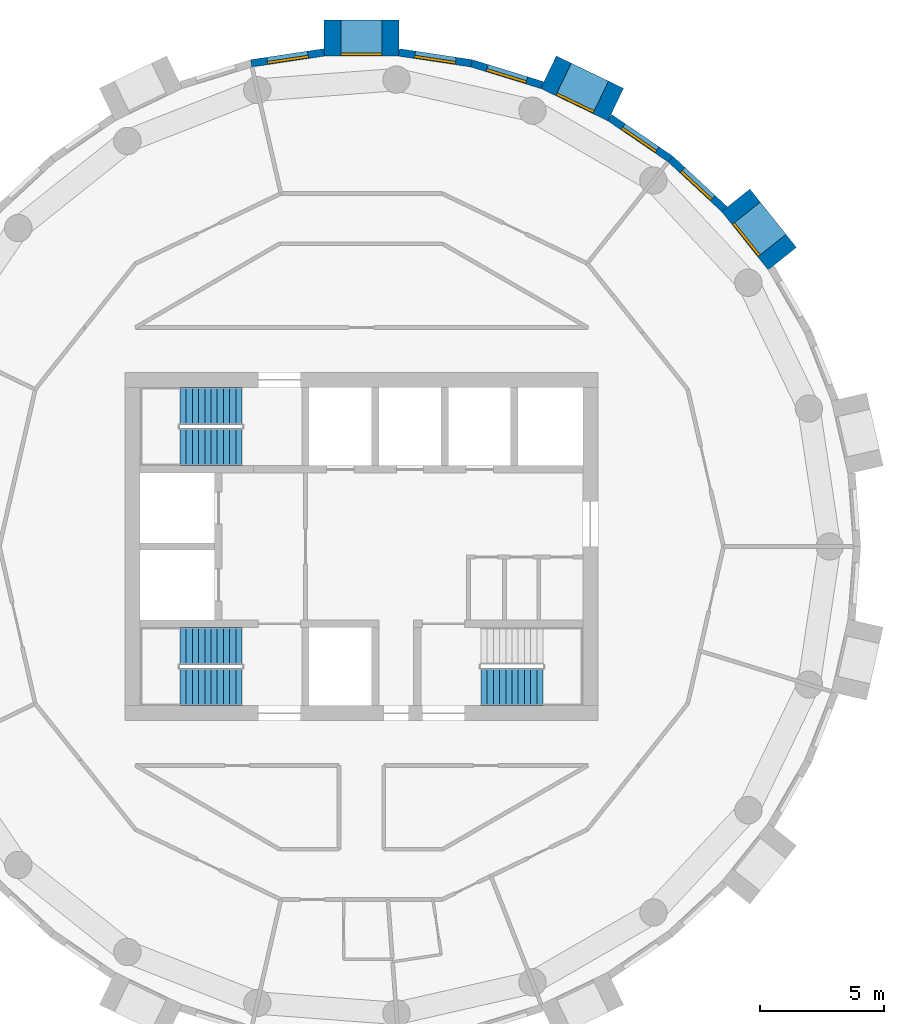
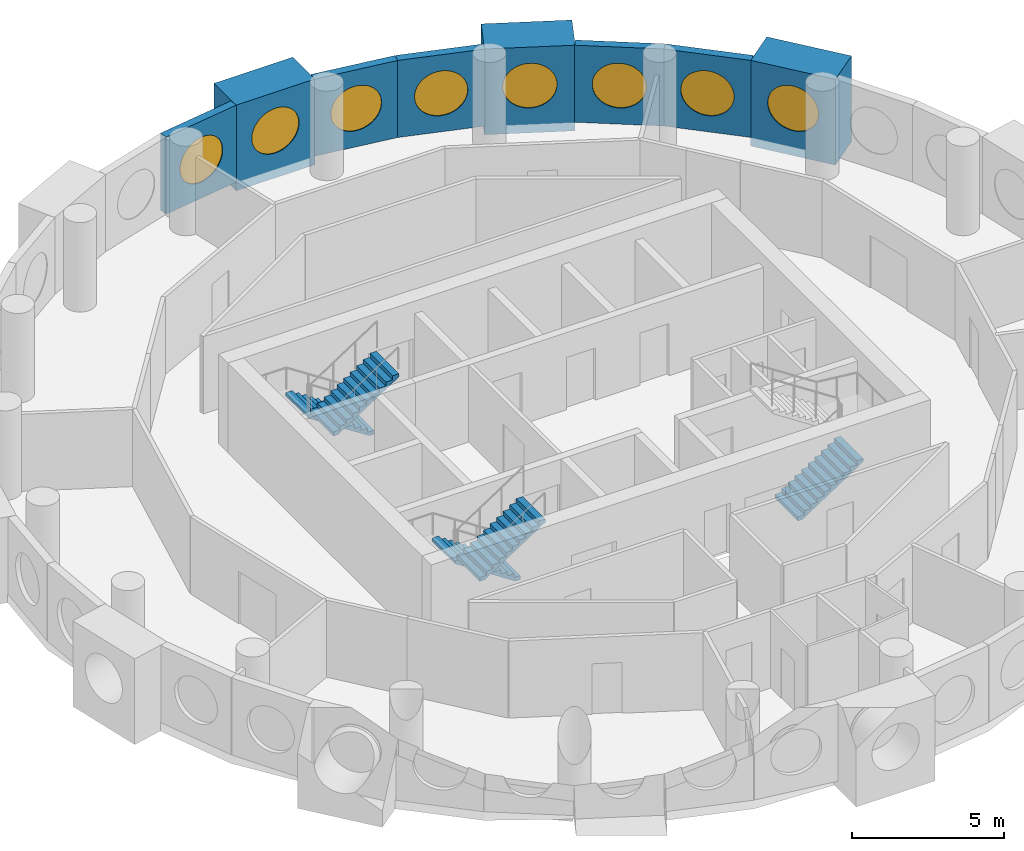
# One storey, part 11 of 13: 8 walls, 8 windows, 5 stair flights, 8 openings, 3 elements without a shape of their own.
"""IFC4 building model written with IfcOpenShell, lengths in metres."""

from ifc_helpers import new_model, si_unit, direction, frame, frame_2d, origin, origin_2d, place, context, subcontext, project, spatial, polyline, rectangle, circle, outline, extrude, material, layer, layer_set, type_object, element, fill, aggregate, save


model = new_model("IFC4")

# Units and contexts
model_context = context("Model", 3, precision=1e-05, world=origin(), true_north=direction((0.0, 1.0)))
body_context = subcontext(model_context, "Body", "Model", "MODEL_VIEW")
ifc_project = project(units=[si_unit("LENGTHUNIT", "METRE"), si_unit("AREAUNIT", "SQUARE_METRE"), si_unit("VOLUMEUNIT", "CUBIC_METRE"), si_unit("PLANEANGLEUNIT", "RADIAN"), si_unit("MASSUNIT", "GRAM", prefix="KILO")], contexts=[model_context])

# Site, building, storey
site_placement = place(None, origin())
site = spatial("IfcSite", under=ifc_project, at=site_placement, CompositionType="ELEMENT")
building_placement = place(site_placement, origin())
building = spatial("IfcBuilding", under=site, at=building_placement, Name="Tracery Tower", CompositionType="ELEMENT")
storey_placement = place(building_placement, frame((0.0, 0.0, 274.199951171875)))
storey = spatial("IfcBuildingStorey", under=building, at=storey_placement, Name="L71", CompositionType="ELEMENT", Elevation=274.199951171875)

# Wall, opening, window
ifc_material_1 = material(Name="Precast concrete C50/60", Category="concrete")
ifc_layer_1 = layer(ifc_material_1, 1.449951171875)
ifc_layer_set_1 = layer_set([ifc_layer_1], Name="Deep-set bay unit 3000 x 3450, slab edge 350")
wall_type_1 = type_object("IfcWallType", Name="Deep-set bay unit 3000 x 3450, slab edge 350", PredefinedType="ELEMENTEDWALL", material=ifc_layer_set_1)
wall_1_placement = place(storey_placement, frame((16.916748046875, 11.572021484375, -0.349853515625), z_axis=(0.0, 0.0, 1.0), x_axis=(-0.623523286312, 0.781804778335, 0.0)))
wall_1 = element("IfcWall", 1, at=wall_1_placement, inside=storey, type_object=wall_type_1, Name="Deep-set bay unit 5 at L71", PredefinedType="ELEMENTEDWALL", context=body_context, shape_type="SweptSolid", body=[
    extrude(rectangle(XDim=3.0, YDim=1.449951171875, at=frame_2d((1.5, 0.0))), origin(), (0.0, 0.0, 1.0), 3.449951171875),
])
opening_1_placement = place(wall_1_placement, frame((1.5, 0.0, 1.89990234375)))
opening_1 = element("IfcOpeningElement", 2, at=opening_1_placement, cuts=wall_1, Name="Opening WN1", PredefinedType="OPENING", context=body_context, shape_type="SweptSolid", body=[
    extrude(circle(Radius=0.9000244140625, at=origin_2d()), frame((0.0, 0.73486328125, 0.0), z_axis=(0.0, -1.0, 0.0), x_axis=(1.0, 0.0, 0.0)), (0.0, 0.0, 1.0), 1.469970703125),
])
ifc_material_2 = material(Name="Aluminium frame with tinted double glazing", Category="aluminium")
window_type = type_object("IfcWindowType", Name="Round window 1800", PartitioningType="SINGLE_PANEL", PredefinedType="WINDOW", material=ifc_material_2)
window_1_placement = place(opening_1_placement, origin())
window_1 = element("IfcWindow", 3, at=window_1_placement, inside=storey, type_object=window_type, Name="Round window 5 at L71", OverallHeight=1.800048828125, OverallWidth=1.800048828125, PartitioningType="SINGLE_PANEL", PredefinedType="WINDOW", context=body_context, shape_type="SweptSolid", body=[
    extrude(circle(Radius=0.9000244140625, at=origin_2d()), frame((0.0, 0.69482421875, 0.0), z_axis=(0.0, -1.0, 0.0), x_axis=(1.0, 0.0, 0.0)), (0.0, 0.0, 1.0), 0.10009765625),
])
fill(opening_1, window_1)

wall_2_placement = place(storey_placement, frame((10.220458984375, 17.765869140625, -0.349853515625), z_axis=(0.0, 0.0, 1.0), x_axis=(-0.900953362039, 0.433915935904, 0.0)))
wall_2 = element("IfcWall", 4, at=wall_2_placement, inside=storey, type_object=wall_type_1, Name="Deep-set bay unit 8 at L71", PredefinedType="ELEMENTEDWALL", context=body_context, shape_type="SweptSolid", body=[
    extrude(rectangle(XDim=3.0, YDim=1.449951171875, at=frame_2d((1.5, 0.0))), origin(), (0.0, 0.0, 1.0), 3.449951171875),
])
opening_2_placement = place(wall_2_placement, frame((1.5, 0.0, 1.89990234375)))
opening_2 = element("IfcOpeningElement", 5, at=opening_2_placement, cuts=wall_2, Name="Opening WN1", PredefinedType="OPENING", context=body_context, shape_type="SweptSolid", body=[
    extrude(circle(Radius=0.9000244140625, at=origin_2d()), frame((0.0, 0.73486328125, 0.0), z_axis=(0.0, -1.0, 0.0), x_axis=(1.0, 0.0, 0.0)), (0.0, 0.0, 1.0), 1.469970703125),
])
window_2_placement = place(opening_2_placement, origin())
window_2 = element("IfcWindow", 6, at=window_2_placement, inside=storey, type_object=window_type, Name="Round window 8 at L71", OverallHeight=1.800048828125, OverallWidth=1.800048828125, PartitioningType="SINGLE_PANEL", PredefinedType="WINDOW", context=body_context, shape_type="SweptSolid", body=[
    extrude(circle(Radius=0.9000244140625, at=origin_2d()), frame((0.0, 0.69482421875, 0.0), z_axis=(0.0, -1.0, 0.0), x_axis=(1.0, 0.0, 0.0)), (0.0, 0.0, 1.0), 0.10009765625),
])
fill(opening_2, window_2)

wall_3_placement = place(storey_placement, frame((1.5, 20.441162109375, -0.349853515625), z_axis=(0.0, 0.0, 1.0), x_axis=(-1.0, 0.0, 0.0)))
wall_3 = element("IfcWall", 7, at=wall_3_placement, inside=storey, type_object=wall_type_1, Name="Deep-set bay unit 11 at L71", PredefinedType="ELEMENTEDWALL", context=body_context, shape_type="SweptSolid", body=[
    extrude(rectangle(XDim=3.0, YDim=1.449951171875, at=frame_2d((1.5, 0.0))), origin(), (0.0, 0.0, 1.0), 3.449951171875),
])
opening_3_placement = place(wall_3_placement, frame((1.5, 0.0, 1.89990234375)))
opening_3 = element("IfcOpeningElement", 8, at=opening_3_placement, cuts=wall_3, Name="Opening WN1", PredefinedType="OPENING", context=body_context, shape_type="SweptSolid", body=[
    extrude(circle(Radius=0.9000244140625, at=origin_2d()), frame((0.0, 0.73486328125, 0.0), z_axis=(0.0, -1.0, 0.0), x_axis=(1.0, 0.0, 0.0)), (0.0, 0.0, 1.0), 1.469970703125),
])
window_3_placement = place(opening_3_placement, origin())
window_3 = element("IfcWindow", 9, at=window_3_placement, inside=storey, type_object=window_type, Name="Round window 11 at L71", OverallHeight=1.800048828125, OverallWidth=1.800048828125, PartitioningType="SINGLE_PANEL", PredefinedType="WINDOW", context=body_context, shape_type="SweptSolid", body=[
    extrude(circle(Radius=0.9000244140625, at=origin_2d()), frame((0.0, 0.69482421875, 0.0), z_axis=(0.0, -1.0, 0.0), x_axis=(1.0, 0.0, 0.0)), (0.0, 0.0, 1.0), 0.10009765625),
])
fill(opening_3, window_3)

ifc_material_3 = material(Name="Precast concrete C50/60", Category="concrete")
ifc_layer_2 = layer(ifc_material_3, 0.300048828125)
ifc_layer_set_2 = layer_set([ifc_layer_2], Name="Facade panel 3000 x 3100")
wall_type_2 = type_object("IfcWallType", Name="Facade panel 3000 x 3100", PredefinedType="SOLIDWALL", material=ifc_layer_set_2)
wall_4_placement = place(storey_placement, frame((14.592529296875, 13.560546875, 0.0), z_axis=(0.0, 0.0, 1.0), x_axis=(-0.733028283666, 0.680198158882, 0.0)))
wall_4 = element("IfcWall", 10, at=wall_4_placement, inside=storey, type_object=wall_type_2, Name="Facade panel 6 at L71", PredefinedType="SOLIDWALL", context=body_context, shape_type="SweptSolid", body=[
    extrude(rectangle(XDim=2.962158203125, YDim=0.300048828125, at=frame_2d((1.48095703125, 0.0))), origin(), (0.0, 0.0, 1.0), 3.10009765625),
])
opening_4_placement = place(wall_4_placement, frame((1.48095703125, 0.0, 1.5498046875)))
opening_4 = element("IfcOpeningElement", 11, at=opening_4_placement, cuts=wall_4, Name="Opening WN1", PredefinedType="OPENING", context=body_context, shape_type="SweptSolid", body=[
    extrude(circle(Radius=0.9000244140625, at=origin_2d()), frame((0.0, 0.159912109375, 0.0), z_axis=(0.0, -1.0, 0.0), x_axis=(1.0, 0.0, 0.0)), (0.0, 0.0, 1.0), 0.320068359375),
])
window_4_placement = place(opening_4_placement, origin())
window_4 = element("IfcWindow", 12, at=window_4_placement, inside=storey, type_object=window_type, Name="Round window 6 at L71", OverallHeight=1.800048828125, OverallWidth=1.800048828125, PartitioningType="SINGLE_PANEL", PredefinedType="WINDOW", context=body_context, shape_type="SweptSolid", body=[
    extrude(circle(Radius=0.9000244140625, at=origin_2d()), frame((0.0, 0.1201171875, 0.0), z_axis=(0.0, -1.0, 0.0), x_axis=(1.0, 0.0, 0.0)), (0.0, 0.0, 1.0), 0.10009765625),
])
fill(opening_4, window_4)

wall_5_placement = place(storey_placement, frame((12.421142578125, 15.575439453125, 0.0), z_axis=(0.0, 0.0, 1.0), x_axis=(-0.826236061068, 0.563324037646, 0.0)))
wall_5 = element("IfcWall", 13, at=wall_5_placement, inside=storey, type_object=wall_type_2, Name="Facade panel 7 at L71", PredefinedType="SOLIDWALL", context=body_context, shape_type="SweptSolid", body=[
    extrude(rectangle(XDim=2.962158203125, YDim=0.300048828125, at=frame_2d((1.48095703125, 0.0))), origin(), (0.0, 0.0, 1.0), 3.10009765625),
])
opening_5_placement = place(wall_5_placement, frame((1.48095703125, 0.0, 1.5498046875)))
opening_5 = element("IfcOpeningElement", 14, at=opening_5_placement, cuts=wall_5, Name="Opening WN1", PredefinedType="OPENING", context=body_context, shape_type="SweptSolid", body=[
    extrude(circle(Radius=0.9000244140625, at=origin_2d()), frame((0.0, 0.159912109375, 0.0), z_axis=(0.0, -1.0, 0.0), x_axis=(1.0, 0.0, 0.0)), (0.0, 0.0, 1.0), 0.320068359375),
])
window_5_placement = place(opening_5_placement, origin())
window_5 = element("IfcWindow", 15, at=window_5_placement, inside=storey, type_object=window_type, Name="Round window 7 at L71", OverallHeight=1.800048828125, OverallWidth=1.800048828125, PartitioningType="SINGLE_PANEL", PredefinedType="WINDOW", context=body_context, shape_type="SweptSolid", body=[
    extrude(circle(Radius=0.9000244140625, at=origin_2d()), frame((0.0, 0.1201171875, 0.0), z_axis=(0.0, -1.0, 0.0), x_axis=(1.0, 0.0, 0.0)), (0.0, 0.0, 1.0), 0.10009765625),
])
fill(opening_5, window_5)

wall_6_placement = place(storey_placement, frame((7.263671875, 18.549072265625, 0.0), z_axis=(0.0, 0.0, 1.0), x_axis=(-0.955555982805, 0.29480970765, 0.0)))
wall_6 = element("IfcWall", 16, at=wall_6_placement, inside=storey, type_object=wall_type_2, Name="Facade panel 9 at L71", PredefinedType="SOLIDWALL", context=body_context, shape_type="SweptSolid", body=[
    extrude(rectangle(XDim=2.962158203125, YDim=0.300048828125, at=frame_2d((1.48095703125, 0.0))), origin(), (0.0, 0.0, 1.0), 3.10009765625),
])
opening_6_placement = place(wall_6_placement, frame((1.48095703125, 0.0, 1.5498046875)))
opening_6 = element("IfcOpeningElement", 17, at=opening_6_placement, cuts=wall_6, Name="Opening WN1", PredefinedType="OPENING", context=body_context, shape_type="SweptSolid", body=[
    extrude(circle(Radius=0.9000244140625, at=origin_2d()), frame((0.0, 0.159912109375, 0.0), z_axis=(0.0, -1.0, 0.0), x_axis=(1.0, 0.0, 0.0)), (0.0, 0.0, 1.0), 0.320068359375),
])
window_6_placement = place(opening_6_placement, origin())
window_6 = element("IfcWindow", 18, at=window_6_placement, inside=storey, type_object=window_type, Name="Round window 9 at L71", OverallHeight=1.800048828125, OverallWidth=1.800048828125, PartitioningType="SINGLE_PANEL", PredefinedType="WINDOW", context=body_context, shape_type="SweptSolid", body=[
    extrude(circle(Radius=0.9000244140625, at=origin_2d()), frame((0.0, 0.1201171875, 0.0), z_axis=(0.0, -1.0, 0.0), x_axis=(1.0, 0.0, 0.0)), (0.0, 0.0, 1.0), 0.10009765625),
])
fill(opening_6, window_6)

wall_7_placement = place(storey_placement, frame((4.43310546875, 19.42236328125, 0.0), z_axis=(0.0, 0.0, 1.0), x_axis=(-0.988835775663, 0.149009425104, 0.0)))
wall_7 = element("IfcWall", 19, at=wall_7_placement, inside=storey, type_object=wall_type_2, Name="Facade panel 10 at L71", PredefinedType="SOLIDWALL", context=body_context, shape_type="SweptSolid", body=[
    extrude(rectangle(XDim=2.962158203125, YDim=0.300048828125, at=frame_2d((1.48095703125, 0.0))), origin(), (0.0, 0.0, 1.0), 3.10009765625),
])
opening_7_placement = place(wall_7_placement, frame((1.48095703125, 0.0, 1.5498046875)))
opening_7 = element("IfcOpeningElement", 20, at=opening_7_placement, cuts=wall_7, Name="Opening WN1", PredefinedType="OPENING", context=body_context, shape_type="SweptSolid", body=[
    extrude(circle(Radius=0.9000244140625, at=origin_2d()), frame((0.0, 0.159912109375, 0.0), z_axis=(0.0, -1.0, 0.0), x_axis=(1.0, 0.0, 0.0)), (0.0, 0.0, 1.0), 0.320068359375),
])
window_7_placement = place(opening_7_placement, origin())
window_7 = element("IfcWindow", 21, at=window_7_placement, inside=storey, type_object=window_type, Name="Round window 10 at L71", OverallHeight=1.800048828125, OverallWidth=1.800048828125, PartitioningType="SINGLE_PANEL", PredefinedType="WINDOW", context=body_context, shape_type="SweptSolid", body=[
    extrude(circle(Radius=0.9000244140625, at=origin_2d()), frame((0.0, 0.1201171875, 0.0), z_axis=(0.0, -1.0, 0.0), x_axis=(1.0, 0.0, 0.0)), (0.0, 0.0, 1.0), 0.10009765625),
])
fill(opening_7, window_7)

wall_8_placement = place(storey_placement, frame((-1.50390625, 19.86376953125, 0.0), z_axis=(0.0, 0.0, 1.0), x_axis=(-0.988835775663, -0.149009425104, 0.0)))
wall_8 = element("IfcWall", 22, at=wall_8_placement, inside=storey, type_object=wall_type_2, Name="Facade panel 12 at L71", PredefinedType="SOLIDWALL", context=body_context, shape_type="SweptSolid", body=[
    extrude(rectangle(XDim=2.962158203125, YDim=0.300048828125, at=frame_2d((1.48095703125, 0.0))), origin(), (0.0, 0.0, 1.0), 3.10009765625),
])
opening_8_placement = place(wall_8_placement, frame((1.48095703125, 0.0, 1.5498046875)))
opening_8 = element("IfcOpeningElement", 23, at=opening_8_placement, cuts=wall_8, Name="Opening WN1", PredefinedType="OPENING", context=body_context, shape_type="SweptSolid", body=[
    extrude(circle(Radius=0.9000244140625, at=origin_2d()), frame((0.0, 0.159912109375, 0.0), z_axis=(0.0, -1.0, 0.0), x_axis=(1.0, 0.0, 0.0)), (0.0, 0.0, 1.0), 0.320068359375),
])
window_8_placement = place(opening_8_placement, origin())
window_8 = element("IfcWindow", 24, at=window_8_placement, inside=storey, type_object=window_type, Name="Round window 12 at L71", OverallHeight=1.800048828125, OverallWidth=1.800048828125, PartitioningType="SINGLE_PANEL", PredefinedType="WINDOW", context=body_context, shape_type="SweptSolid", body=[
    extrude(circle(Radius=0.9000244140625, at=origin_2d()), frame((0.0, 0.1201171875, 0.0), z_axis=(0.0, -1.0, 0.0), x_axis=(1.0, 0.0, 0.0)), (0.0, 0.0, 1.0), 0.10009765625),
])
fill(opening_8, window_8)

# Stair, stair flights
ifc_material_4 = material(Name="Concrete C32/40", Category="concrete")
stair_type = type_object("IfcStairType", Name="Core stair 22 risers", PredefinedType="HALF_TURN_STAIR", material=ifc_material_4)
stair_1_placement = place(storey_placement, origin())
stair_1 = element("IfcStair", 25, at=stair_1_placement, inside=storey, type_object=stair_type, Name="L71 stair ST1", PredefinedType="HALF_TURN_STAIR")
ifc_material_5 = material(Name="Concrete C32/40", Category="concrete")
stair_flight_type = type_object("IfcStairFlightType", Name="Core stair flight 11 risers", PredefinedType="STRAIGHT", material=ifc_material_5)
stair_flight_1_placement = place(storey_placement, frame((-4.800048828125, -4.0, 0.0), z_axis=(0.0, 0.0, 1.0), x_axis=(-1.0, 0.0, 0.0)))
stair_flight_1 = element("IfcStairFlight", 26, at=stair_flight_1_placement, type_object=stair_flight_type, Name="ST1 flight 1", NumberOfRisers=11, NumberOfTreads=10, PredefinedType="STRAIGHT", RiserHeight=0.163636364, TreadLength=0.25, context=body_context, shape_type="SweptSolid", body=[
    extrude(outline(polyline([(0.0, 0.0), (0.0, 0.002685546875), (0.0, 0.00537109375), (0.0, 0.008056640625), (0.0, 0.0107421875), (0.0, 0.013427734375), (0.0, 0.01611328125), (0.0, 0.018798828125), (0.0, 0.021484375), (0.0, 0.024169921875), (0.0, 0.02685546875), (0.0, 0.029541015625), (0.0, 0.0322265625), (0.0, 0.034912109375), (0.0, 0.03759765625), (0.0, 0.040283203125), (0.0, 0.04296875), (0.0, 0.045654296875), (0.0, 0.04833984375), (0.0, 0.051025390625), (0.0, 0.0537109375), (0.0, 0.056396484375), (0.0, 0.05908203125), (0.0, 0.061767578125), (0.0, 0.064453125), (0.0, 0.067138671875), (0.0, 0.06982421875), (0.0, 0.072509765625), (0.0, 0.0751953125), (0.0, 0.077880859375), (0.0, 0.08056640625), (0.0, 0.083251953125), (0.0, 0.0859375), (0.0, 0.088623046875), (0.0, 0.09130859375), (0.0, 0.093994140625), (0.0, 0.0966796875), (0.0, 0.099365234375), (0.0, 0.10205078125), (0.0, 0.104736328125), (0.0, 0.107421875), (0.0, 0.10986328125), (0.0, 0.112548828125), (0.0, 0.115234375), (0.0, 0.117919921875), (0.0, 0.12060546875), (0.0, 0.123291015625), (0.0, 0.1259765625), (0.0, 0.128662109375), (0.0, 0.13134765625), (0.0, 0.134033203125), (0.0, 0.13671875), (0.0, 0.139404296875), (0.0, 0.14208984375), (0.0, 0.144775390625), (0.0, 0.1474609375), (0.0, 0.150146484375), (0.0, 0.15283203125), (0.0, 0.155517578125), (0.0, 0.158203125), (0.0, 0.160888671875), (0.0, 0.16357421875), (0.25, 0.16357421875), (0.25, 0.327392578125), (0.5, 0.327392578125), (0.5, 0.490966796875), (0.75, 0.490966796875), (0.75, 0.654541015625), (1.0, 0.654541015625), (1.0, 0.818115234375), (1.25, 0.818115234375), (1.25, 0.98193359375), (1.5, 0.98193359375), (1.5, 1.1455078125), (1.75, 1.1455078125), (1.75, 1.30908203125), (2.0, 1.30908203125), (2.0, 1.47265625), (2.25, 1.47265625), (2.25, 1.636474609375), (2.5, 1.636474609375), (2.5, 1.634521484375), (2.5, 1.63232421875), (2.5, 1.63037109375), (2.5, 1.62841796875), (2.5, 1.62646484375), (2.5, 1.62451171875), (2.5, 1.62255859375), (2.5, 1.62060546875), (2.5, 1.61865234375), (2.5, 1.61669921875), (2.5, 1.61474609375), (2.5, 1.61279296875), (2.5, 1.61083984375), (2.5, 1.60888671875), (2.5, 1.60693359375), (2.5, 1.60498046875), (2.5, 1.60302734375), (2.5, 1.60107421875), (2.5, 1.59912109375), (2.5, 1.59716796875), (2.5, 1.59521484375), (2.5, 1.59326171875), (2.5, 1.59130859375), (2.5, 1.58935546875), (2.5, 1.58740234375), (2.5, 1.58544921875), (2.5, 1.58349609375), (2.5, 1.58154296875), (2.5, 1.57958984375), (2.5, 1.57763671875), (2.5, 1.57568359375), (2.5, 1.573486328125), (2.5, 1.571533203125), (2.5, 1.569580078125), (2.5, 1.567626953125), (2.5, 1.565673828125), (2.5, 1.563720703125), (2.5, 1.561767578125), (2.5, 1.559814453125), (2.5, 1.557861328125), (2.5, 1.555908203125), (2.5, 1.553955078125), (2.5, 1.552001953125), (2.5, 1.550048828125), (2.5, 1.548095703125), (2.5, 1.546142578125), (2.5, 1.544189453125), (2.5, 1.542236328125), (2.5, 1.540283203125), (2.5, 1.538330078125), (2.5, 1.536376953125), (2.5, 1.534423828125), (2.5, 1.532470703125), (2.5, 1.530517578125), (2.5, 1.528564453125), (2.5, 1.526611328125), (2.5, 1.524658203125), (2.5, 1.522705078125), (2.5, 1.520751953125), (2.5, 1.518798828125), (2.5, 1.516845703125), (0.182861328125, 0.0), (0.0, 0.0)])), frame((0.0, 0.75, 0.0), z_axis=(0.0, -1.0, 0.0), x_axis=(1.0, 0.0, 0.0)), (0.0, 0.0, 1.0), 1.5),
])
stair_flight_2_placement = place(storey_placement, frame((-7.300048828125, -5.64990234375, 1.800048828125), z_axis=(0.0, 0.0, 1.0), x_axis=(1.0, 0.0, 0.0)))
stair_flight_2 = element("IfcStairFlight", 27, at=stair_flight_2_placement, type_object=stair_flight_type, Name="ST1 flight 2", NumberOfRisers=11, NumberOfTreads=10, PredefinedType="STRAIGHT", RiserHeight=0.163636364, TreadLength=0.25, context=body_context, shape_type="SweptSolid", body=[
    extrude(outline(polyline([(0.0, 0.0), (0.0, 0.002685546875), (0.0, 0.00537109375), (0.0, 0.008056640625), (0.0, 0.0107421875), (0.0, 0.013427734375), (0.0, 0.01611328125), (0.0, 0.018798828125), (0.0, 0.021484375), (0.0, 0.024169921875), (0.0, 0.02685546875), (0.0, 0.029541015625), (0.0, 0.0322265625), (0.0, 0.034912109375), (0.0, 0.03759765625), (0.0, 0.040283203125), (0.0, 0.04296875), (0.0, 0.045654296875), (0.0, 0.04833984375), (0.0, 0.051025390625), (0.0, 0.0537109375), (0.0, 0.056396484375), (0.0, 0.05908203125), (0.0, 0.061767578125), (0.0, 0.064453125), (0.0, 0.067138671875), (0.0, 0.06982421875), (0.0, 0.072509765625), (0.0, 0.0751953125), (0.0, 0.077880859375), (0.0, 0.08056640625), (0.0, 0.083251953125), (0.0, 0.0859375), (0.0, 0.088623046875), (0.0, 0.09130859375), (0.0, 0.093994140625), (0.0, 0.0966796875), (0.0, 0.099365234375), (0.0, 0.10205078125), (0.0, 0.104736328125), (0.0, 0.107421875), (0.0, 0.10986328125), (0.0, 0.112548828125), (0.0, 0.115234375), (0.0, 0.117919921875), (0.0, 0.12060546875), (0.0, 0.123291015625), (0.0, 0.1259765625), (0.0, 0.128662109375), (0.0, 0.13134765625), (0.0, 0.134033203125), (0.0, 0.13671875), (0.0, 0.139404296875), (0.0, 0.14208984375), (0.0, 0.144775390625), (0.0, 0.1474609375), (0.0, 0.150146484375), (0.0, 0.15283203125), (0.0, 0.155517578125), (0.0, 0.158203125), (0.0, 0.160888671875), (0.0, 0.16357421875), (0.25, 0.16357421875), (0.25, 0.327392578125), (0.5, 0.327392578125), (0.5, 0.490966796875), (0.75, 0.490966796875), (0.75, 0.654541015625), (1.0, 0.654541015625), (1.0, 0.818115234375), (1.25, 0.818115234375), (1.25, 0.98193359375), (1.5, 0.98193359375), (1.5, 1.1455078125), (1.75, 1.1455078125), (1.75, 1.30908203125), (2.0, 1.30908203125), (2.0, 1.47265625), (2.25, 1.47265625), (2.25, 1.636474609375), (2.5, 1.636474609375), (2.5, 1.634521484375), (2.5, 1.63232421875), (2.5, 1.63037109375), (2.5, 1.62841796875), (2.5, 1.62646484375), (2.5, 1.62451171875), (2.5, 1.62255859375), (2.5, 1.62060546875), (2.5, 1.61865234375), (2.5, 1.61669921875), (2.5, 1.61474609375), (2.5, 1.61279296875), (2.5, 1.61083984375), (2.5, 1.60888671875), (2.5, 1.60693359375), (2.5, 1.60498046875), (2.5, 1.60302734375), (2.5, 1.60107421875), (2.5, 1.59912109375), (2.5, 1.59716796875), (2.5, 1.59521484375), (2.5, 1.59326171875), (2.5, 1.59130859375), (2.5, 1.58935546875), (2.5, 1.58740234375), (2.5, 1.58544921875), (2.5, 1.58349609375), (2.5, 1.58154296875), (2.5, 1.57958984375), (2.5, 1.57763671875), (2.5, 1.57568359375), (2.5, 1.573486328125), (2.5, 1.571533203125), (2.5, 1.569580078125), (2.5, 1.567626953125), (2.5, 1.565673828125), (2.5, 1.563720703125), (2.5, 1.561767578125), (2.5, 1.559814453125), (2.5, 1.557861328125), (2.5, 1.555908203125), (2.5, 1.553955078125), (2.5, 1.552001953125), (2.5, 1.550048828125), (2.5, 1.548095703125), (2.5, 1.546142578125), (2.5, 1.544189453125), (2.5, 1.542236328125), (2.5, 1.540283203125), (2.5, 1.538330078125), (2.5, 1.536376953125), (2.5, 1.534423828125), (2.5, 1.532470703125), (2.5, 1.530517578125), (2.5, 1.528564453125), (2.5, 1.526611328125), (2.5, 1.524658203125), (2.5, 1.522705078125), (2.5, 1.520751953125), (2.5, 1.518798828125), (2.5, 1.516845703125), (0.182861328125, 0.0), (0.0, 0.0)])), frame((0.0, 0.75, 0.0), z_axis=(0.0, -1.0, 0.0), x_axis=(1.0, 0.0, 0.0)), (0.0, 0.0, 1.0), 1.5),
])
aggregate(stair_1, [stair_flight_1, stair_flight_2])

stair_2_placement = place(storey_placement, origin())
stair_2 = element("IfcStair", 28, at=stair_2_placement, inside=storey, type_object=stair_type, Name="L71 stair ST3", PredefinedType="HALF_TURN_STAIR")
stair_flight_3_placement = place(storey_placement, frame((-4.800048828125, 5.64990234375, 0.0), z_axis=(0.0, 0.0, 1.0), x_axis=(-1.0, 0.0, 0.0)))
stair_flight_3 = element("IfcStairFlight", 29, at=stair_flight_3_placement, type_object=stair_flight_type, Name="ST3 flight 1", NumberOfRisers=11, NumberOfTreads=10, PredefinedType="STRAIGHT", RiserHeight=0.163636364, TreadLength=0.25, context=body_context, shape_type="SweptSolid", body=[
    extrude(outline(polyline([(0.0, 0.0), (0.0, 0.002685546875), (0.0, 0.00537109375), (0.0, 0.008056640625), (0.0, 0.0107421875), (0.0, 0.013427734375), (0.0, 0.01611328125), (0.0, 0.018798828125), (0.0, 0.021484375), (0.0, 0.024169921875), (0.0, 0.02685546875), (0.0, 0.029541015625), (0.0, 0.0322265625), (0.0, 0.034912109375), (0.0, 0.03759765625), (0.0, 0.040283203125), (0.0, 0.04296875), (0.0, 0.045654296875), (0.0, 0.04833984375), (0.0, 0.051025390625), (0.0, 0.0537109375), (0.0, 0.056396484375), (0.0, 0.05908203125), (0.0, 0.061767578125), (0.0, 0.064453125), (0.0, 0.067138671875), (0.0, 0.06982421875), (0.0, 0.072509765625), (0.0, 0.0751953125), (0.0, 0.077880859375), (0.0, 0.08056640625), (0.0, 0.083251953125), (0.0, 0.0859375), (0.0, 0.088623046875), (0.0, 0.09130859375), (0.0, 0.093994140625), (0.0, 0.0966796875), (0.0, 0.099365234375), (0.0, 0.10205078125), (0.0, 0.104736328125), (0.0, 0.107421875), (0.0, 0.10986328125), (0.0, 0.112548828125), (0.0, 0.115234375), (0.0, 0.117919921875), (0.0, 0.12060546875), (0.0, 0.123291015625), (0.0, 0.1259765625), (0.0, 0.128662109375), (0.0, 0.13134765625), (0.0, 0.134033203125), (0.0, 0.13671875), (0.0, 0.139404296875), (0.0, 0.14208984375), (0.0, 0.144775390625), (0.0, 0.1474609375), (0.0, 0.150146484375), (0.0, 0.15283203125), (0.0, 0.155517578125), (0.0, 0.158203125), (0.0, 0.160888671875), (0.0, 0.16357421875), (0.25, 0.16357421875), (0.25, 0.327392578125), (0.5, 0.327392578125), (0.5, 0.490966796875), (0.75, 0.490966796875), (0.75, 0.654541015625), (1.0, 0.654541015625), (1.0, 0.818115234375), (1.25, 0.818115234375), (1.25, 0.98193359375), (1.5, 0.98193359375), (1.5, 1.1455078125), (1.75, 1.1455078125), (1.75, 1.30908203125), (2.0, 1.30908203125), (2.0, 1.47265625), (2.25, 1.47265625), (2.25, 1.636474609375), (2.5, 1.636474609375), (2.5, 1.634521484375), (2.5, 1.63232421875), (2.5, 1.63037109375), (2.5, 1.62841796875), (2.5, 1.62646484375), (2.5, 1.62451171875), (2.5, 1.62255859375), (2.5, 1.62060546875), (2.5, 1.61865234375), (2.5, 1.61669921875), (2.5, 1.61474609375), (2.5, 1.61279296875), (2.5, 1.61083984375), (2.5, 1.60888671875), (2.5, 1.60693359375), (2.5, 1.60498046875), (2.5, 1.60302734375), (2.5, 1.60107421875), (2.5, 1.59912109375), (2.5, 1.59716796875), (2.5, 1.59521484375), (2.5, 1.59326171875), (2.5, 1.59130859375), (2.5, 1.58935546875), (2.5, 1.58740234375), (2.5, 1.58544921875), (2.5, 1.58349609375), (2.5, 1.58154296875), (2.5, 1.57958984375), (2.5, 1.57763671875), (2.5, 1.57568359375), (2.5, 1.573486328125), (2.5, 1.571533203125), (2.5, 1.569580078125), (2.5, 1.567626953125), (2.5, 1.565673828125), (2.5, 1.563720703125), (2.5, 1.561767578125), (2.5, 1.559814453125), (2.5, 1.557861328125), (2.5, 1.555908203125), (2.5, 1.553955078125), (2.5, 1.552001953125), (2.5, 1.550048828125), (2.5, 1.548095703125), (2.5, 1.546142578125), (2.5, 1.544189453125), (2.5, 1.542236328125), (2.5, 1.540283203125), (2.5, 1.538330078125), (2.5, 1.536376953125), (2.5, 1.534423828125), (2.5, 1.532470703125), (2.5, 1.530517578125), (2.5, 1.528564453125), (2.5, 1.526611328125), (2.5, 1.524658203125), (2.5, 1.522705078125), (2.5, 1.520751953125), (2.5, 1.518798828125), (2.5, 1.516845703125), (0.182861328125, 0.0), (0.0, 0.0)])), frame((0.0, 0.75, 0.0), z_axis=(0.0, -1.0, 0.0), x_axis=(1.0, 0.0, 0.0)), (0.0, 0.0, 1.0), 1.5),
])
stair_flight_4_placement = place(storey_placement, frame((-7.300048828125, 4.0, 1.800048828125), z_axis=(0.0, 0.0, 1.0), x_axis=(1.0, 0.0, 0.0)))
stair_flight_4 = element("IfcStairFlight", 30, at=stair_flight_4_placement, type_object=stair_flight_type, Name="ST3 flight 2", NumberOfRisers=11, NumberOfTreads=10, PredefinedType="STRAIGHT", RiserHeight=0.163636364, TreadLength=0.25, context=body_context, shape_type="SweptSolid", body=[
    extrude(outline(polyline([(0.0, 0.0), (0.0, 0.002685546875), (0.0, 0.00537109375), (0.0, 0.008056640625), (0.0, 0.0107421875), (0.0, 0.013427734375), (0.0, 0.01611328125), (0.0, 0.018798828125), (0.0, 0.021484375), (0.0, 0.024169921875), (0.0, 0.02685546875), (0.0, 0.029541015625), (0.0, 0.0322265625), (0.0, 0.034912109375), (0.0, 0.03759765625), (0.0, 0.040283203125), (0.0, 0.04296875), (0.0, 0.045654296875), (0.0, 0.04833984375), (0.0, 0.051025390625), (0.0, 0.0537109375), (0.0, 0.056396484375), (0.0, 0.05908203125), (0.0, 0.061767578125), (0.0, 0.064453125), (0.0, 0.067138671875), (0.0, 0.06982421875), (0.0, 0.072509765625), (0.0, 0.0751953125), (0.0, 0.077880859375), (0.0, 0.08056640625), (0.0, 0.083251953125), (0.0, 0.0859375), (0.0, 0.088623046875), (0.0, 0.09130859375), (0.0, 0.093994140625), (0.0, 0.0966796875), (0.0, 0.099365234375), (0.0, 0.10205078125), (0.0, 0.104736328125), (0.0, 0.107421875), (0.0, 0.10986328125), (0.0, 0.112548828125), (0.0, 0.115234375), (0.0, 0.117919921875), (0.0, 0.12060546875), (0.0, 0.123291015625), (0.0, 0.1259765625), (0.0, 0.128662109375), (0.0, 0.13134765625), (0.0, 0.134033203125), (0.0, 0.13671875), (0.0, 0.139404296875), (0.0, 0.14208984375), (0.0, 0.144775390625), (0.0, 0.1474609375), (0.0, 0.150146484375), (0.0, 0.15283203125), (0.0, 0.155517578125), (0.0, 0.158203125), (0.0, 0.160888671875), (0.0, 0.16357421875), (0.25, 0.16357421875), (0.25, 0.327392578125), (0.5, 0.327392578125), (0.5, 0.490966796875), (0.75, 0.490966796875), (0.75, 0.654541015625), (1.0, 0.654541015625), (1.0, 0.818115234375), (1.25, 0.818115234375), (1.25, 0.98193359375), (1.5, 0.98193359375), (1.5, 1.1455078125), (1.75, 1.1455078125), (1.75, 1.30908203125), (2.0, 1.30908203125), (2.0, 1.47265625), (2.25, 1.47265625), (2.25, 1.636474609375), (2.5, 1.636474609375), (2.5, 1.634521484375), (2.5, 1.63232421875), (2.5, 1.63037109375), (2.5, 1.62841796875), (2.5, 1.62646484375), (2.5, 1.62451171875), (2.5, 1.62255859375), (2.5, 1.62060546875), (2.5, 1.61865234375), (2.5, 1.61669921875), (2.5, 1.61474609375), (2.5, 1.61279296875), (2.5, 1.61083984375), (2.5, 1.60888671875), (2.5, 1.60693359375), (2.5, 1.60498046875), (2.5, 1.60302734375), (2.5, 1.60107421875), (2.5, 1.59912109375), (2.5, 1.59716796875), (2.5, 1.59521484375), (2.5, 1.59326171875), (2.5, 1.59130859375), (2.5, 1.58935546875), (2.5, 1.58740234375), (2.5, 1.58544921875), (2.5, 1.58349609375), (2.5, 1.58154296875), (2.5, 1.57958984375), (2.5, 1.57763671875), (2.5, 1.57568359375), (2.5, 1.573486328125), (2.5, 1.571533203125), (2.5, 1.569580078125), (2.5, 1.567626953125), (2.5, 1.565673828125), (2.5, 1.563720703125), (2.5, 1.561767578125), (2.5, 1.559814453125), (2.5, 1.557861328125), (2.5, 1.555908203125), (2.5, 1.553955078125), (2.5, 1.552001953125), (2.5, 1.550048828125), (2.5, 1.548095703125), (2.5, 1.546142578125), (2.5, 1.544189453125), (2.5, 1.542236328125), (2.5, 1.540283203125), (2.5, 1.538330078125), (2.5, 1.536376953125), (2.5, 1.534423828125), (2.5, 1.532470703125), (2.5, 1.530517578125), (2.5, 1.528564453125), (2.5, 1.526611328125), (2.5, 1.524658203125), (2.5, 1.522705078125), (2.5, 1.520751953125), (2.5, 1.518798828125), (2.5, 1.516845703125), (0.182861328125, 0.0), (0.0, 0.0)])), frame((0.0, 0.75, 0.0), z_axis=(0.0, -1.0, 0.0), x_axis=(1.0, 0.0, 0.0)), (0.0, 0.0, 1.0), 1.5),
])
aggregate(stair_2, [stair_flight_3, stair_flight_4])

# Stair, stair flight
stair_3_placement = place(storey_placement, origin())
stair_3 = element("IfcStair", 31, at=stair_3_placement, inside=storey, type_object=stair_type, Name="L71 stair ST2", PredefinedType="HALF_TURN_STAIR")
stair_flight_5_placement = place(storey_placement, frame((4.800048828125, -5.64990234375, 0.0), z_axis=(0.0, 0.0, 1.0), x_axis=(1.0, 0.0, 0.0)))
stair_flight_5 = element("IfcStairFlight", 32, at=stair_flight_5_placement, type_object=stair_flight_type, Name="ST2 flight 1", NumberOfRisers=11, NumberOfTreads=10, PredefinedType="STRAIGHT", RiserHeight=0.163636364, TreadLength=0.25, context=body_context, shape_type="SweptSolid", body=[
    extrude(outline(polyline([(0.0, 0.0), (0.0, 0.002685546875), (0.0, 0.00537109375), (0.0, 0.008056640625), (0.0, 0.0107421875), (0.0, 0.013427734375), (0.0, 0.01611328125), (0.0, 0.018798828125), (0.0, 0.021484375), (0.0, 0.024169921875), (0.0, 0.02685546875), (0.0, 0.029541015625), (0.0, 0.0322265625), (0.0, 0.034912109375), (0.0, 0.03759765625), (0.0, 0.040283203125), (0.0, 0.04296875), (0.0, 0.045654296875), (0.0, 0.04833984375), (0.0, 0.051025390625), (0.0, 0.0537109375), (0.0, 0.056396484375), (0.0, 0.05908203125), (0.0, 0.061767578125), (0.0, 0.064453125), (0.0, 0.067138671875), (0.0, 0.06982421875), (0.0, 0.072509765625), (0.0, 0.0751953125), (0.0, 0.077880859375), (0.0, 0.08056640625), (0.0, 0.083251953125), (0.0, 0.0859375), (0.0, 0.088623046875), (0.0, 0.09130859375), (0.0, 0.093994140625), (0.0, 0.0966796875), (0.0, 0.099365234375), (0.0, 0.10205078125), (0.0, 0.104736328125), (0.0, 0.107421875), (0.0, 0.10986328125), (0.0, 0.112548828125), (0.0, 0.115234375), (0.0, 0.117919921875), (0.0, 0.12060546875), (0.0, 0.123291015625), (0.0, 0.1259765625), (0.0, 0.128662109375), (0.0, 0.13134765625), (0.0, 0.134033203125), (0.0, 0.13671875), (0.0, 0.139404296875), (0.0, 0.14208984375), (0.0, 0.144775390625), (0.0, 0.1474609375), (0.0, 0.150146484375), (0.0, 0.15283203125), (0.0, 0.155517578125), (0.0, 0.158203125), (0.0, 0.160888671875), (0.0, 0.16357421875), (0.25, 0.16357421875), (0.25, 0.327392578125), (0.5, 0.327392578125), (0.5, 0.490966796875), (0.75, 0.490966796875), (0.75, 0.654541015625), (1.0, 0.654541015625), (1.0, 0.818115234375), (1.25, 0.818115234375), (1.25, 0.98193359375), (1.5, 0.98193359375), (1.5, 1.1455078125), (1.75, 1.1455078125), (1.75, 1.30908203125), (2.0, 1.30908203125), (2.0, 1.47265625), (2.25, 1.47265625), (2.25, 1.636474609375), (2.5, 1.636474609375), (2.5, 1.634521484375), (2.5, 1.63232421875), (2.5, 1.63037109375), (2.5, 1.62841796875), (2.5, 1.62646484375), (2.5, 1.62451171875), (2.5, 1.62255859375), (2.5, 1.62060546875), (2.5, 1.61865234375), (2.5, 1.61669921875), (2.5, 1.61474609375), (2.5, 1.61279296875), (2.5, 1.61083984375), (2.5, 1.60888671875), (2.5, 1.60693359375), (2.5, 1.60498046875), (2.5, 1.60302734375), (2.5, 1.60107421875), (2.5, 1.59912109375), (2.5, 1.59716796875), (2.5, 1.59521484375), (2.5, 1.59326171875), (2.5, 1.59130859375), (2.5, 1.58935546875), (2.5, 1.58740234375), (2.5, 1.58544921875), (2.5, 1.58349609375), (2.5, 1.58154296875), (2.5, 1.57958984375), (2.5, 1.57763671875), (2.5, 1.57568359375), (2.5, 1.573486328125), (2.5, 1.571533203125), (2.5, 1.569580078125), (2.5, 1.567626953125), (2.5, 1.565673828125), (2.5, 1.563720703125), (2.5, 1.561767578125), (2.5, 1.559814453125), (2.5, 1.557861328125), (2.5, 1.555908203125), (2.5, 1.553955078125), (2.5, 1.552001953125), (2.5, 1.550048828125), (2.5, 1.548095703125), (2.5, 1.546142578125), (2.5, 1.544189453125), (2.5, 1.542236328125), (2.5, 1.540283203125), (2.5, 1.538330078125), (2.5, 1.536376953125), (2.5, 1.534423828125), (2.5, 1.532470703125), (2.5, 1.530517578125), (2.5, 1.528564453125), (2.5, 1.526611328125), (2.5, 1.524658203125), (2.5, 1.522705078125), (2.5, 1.520751953125), (2.5, 1.518798828125), (2.5, 1.516845703125), (0.182861328125, 0.0), (0.0, 0.0)])), frame((0.0, 0.75, 0.0), z_axis=(0.0, -1.0, 0.0), x_axis=(1.0, 0.0, 0.0)), (0.0, 0.0, 1.0), 1.5),
])
aggregate(stair_3, [stair_flight_5])

save(model, "model.ifc")
